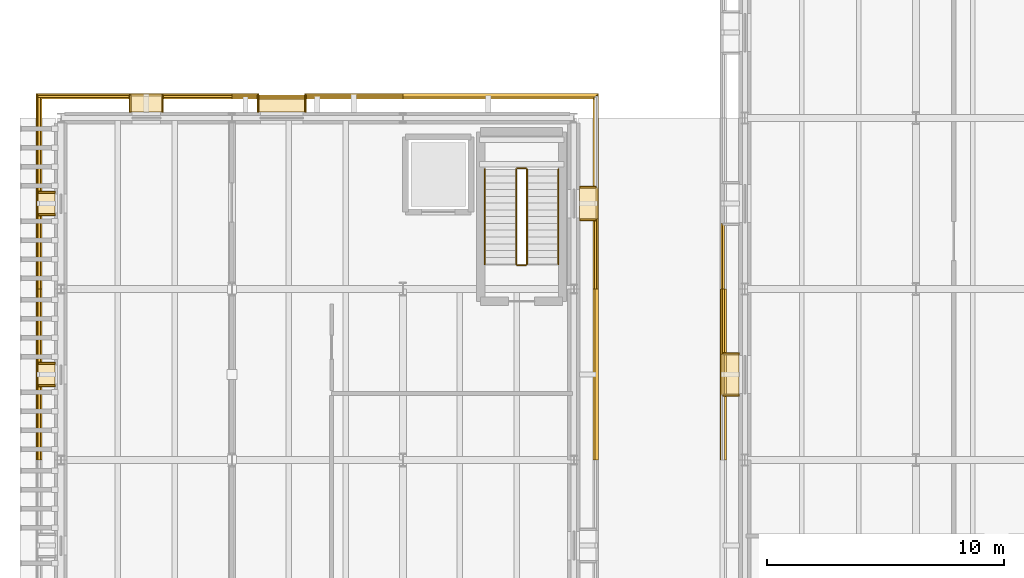
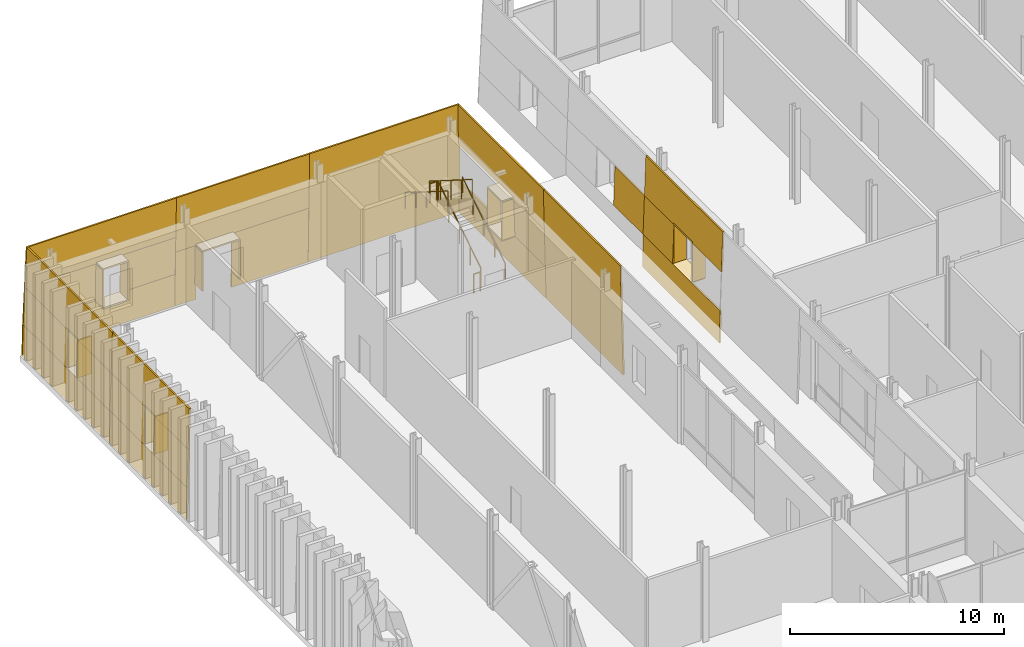
# One storey, part 109 of 120: 47 coverings, 6 railings.
"""IFC4 building model written with IfcOpenShell, lengths in metres."""

from ifc_helpers import new_model, si_unit, direction, frame, origin, origin_2d, place, context, subcontext, project, spatial, polyline, circle, outline, extrude, material, layer, layer_set, type_object, element, save


model = new_model("IFC4")

# Units and contexts
model_context = context("Model", 3, precision=1e-05, world=origin(), true_north=direction((0.0, 1.0)))
body_context = subcontext(model_context, "Body", "Model", "MODEL_VIEW")
ifc_project = project(units=[si_unit("LENGTHUNIT", "METRE"), si_unit("AREAUNIT", "SQUARE_METRE"), si_unit("VOLUMEUNIT", "CUBIC_METRE"), si_unit("PLANEANGLEUNIT", "RADIAN"), si_unit("MASSUNIT", "GRAM", prefix="KILO")], contexts=[model_context])

# Site, building, storey
site_placement = place(None, origin())
site = spatial("IfcSite", under=ifc_project, at=site_placement, CompositionType="ELEMENT")
building_placement = place(site_placement, origin())
building = spatial("IfcBuilding", under=site, at=building_placement, Name="Narikvali Park Central Library", CompositionType="ELEMENT")
storey_placement = place(building_placement, origin())
storey = spatial("IfcBuildingStorey", under=building, at=storey_placement, Name="L00", CompositionType="ELEMENT", Elevation=0.0)

# Coverings
ifc_material_1 = material(Name="White Honed Limestone Cladding", Category="masonry")
ifc_layer_1 = layer(ifc_material_1, 0.0849609375, Name="White Honed Limestone Cladding")
ifc_layer_set_1 = layer_set([ifc_layer_1], Name="White Honed Limestone Cladding")
covering_type_1 = type_object("IfcCoveringType", Name="Battered White Limestone Facade Cladding Panel", PredefinedType="CLADDING", material=ifc_layer_set_1)
covering_1_placement = place(storey_placement, frame((27.7919921875, 103.56005859375, 0.949951171875), z_axis=(-0.999431408105, 0.0, 0.033717361898), x_axis=(0.0, -1.0, 0.0)))
element("IfcCovering", 1, at=covering_1_placement, inside=storey, type_object=covering_type_1, Name="V4 L00 W Battered Limestone Jamb Pier R B02", PredefinedType="CLADDING", context=body_context, shape_type="SweptSolid", body=[
    extrude(outline(polyline([(0.0, 0.0), (2.760009765625, 0.0), (2.760009765625, 2.2012027579225295), (0.0, 2.2012027579225295), (0.0, 0.0)])), origin(), (0.0, 0.0, -1.0), 0.0849609375),
])
covering_2_placement = place(storey_placement, frame((27.760009765625, 100.800048828125, -0.8798828125), z_axis=(-0.999847289173, 0.0, 0.017475649751), x_axis=(0.0, -1.0, 0.0)))
element("IfcCovering", 2, at=covering_2_placement, inside=storey, type_object=covering_type_1, Name="V4 L00 W Battered Limestone Spandrel B03", PredefinedType="CLADDING", context=body_context, shape_type="SweptSolid", body=[
    extrude(outline(polyline([(0.0, 0.0), (7.199951171875, 0.0), (7.199951171875, 1.8301134625161029), (0.0, 1.8301134625161029), (0.0, 0.0)])), origin(), (0.0, 0.0, -1.0), 0.0849609375),
])
covering_3_placement = place(storey_placement, frame((27.8662109375, 100.800048828125, 3.14990234375), z_axis=(-0.999434750598, 0.0, 0.033618139397), x_axis=(0.0, -1.0, 0.0)))
element("IfcCovering", 3, at=covering_3_placement, inside=storey, type_object=covering_type_1, Name="V4 L00 W Battered Limestone Lintel B03", PredefinedType="CLADDING", context=body_context, shape_type="SweptSolid", body=[
    extrude(outline(polyline([(0.0, 0.0), (7.199951171875, 0.0), (7.199951171875, 2.251272530450926), (0.0, 2.251272530450926), (0.0, 0.0)])), origin(), (0.0, 0.0, -1.0), 0.0849609375),
])
covering_4_placement = place(storey_placement, frame((27.7919921875, 100.800048828125, 0.949951171875), z_axis=(-0.999431408105, 0.0, 0.033717361898), x_axis=(0.0, -1.0, 0.0)))
element("IfcCovering", 4, at=covering_4_placement, inside=storey, type_object=covering_type_1, Name="V4 L00 W Battered Limestone Jamb Pier L B03", PredefinedType="CLADDING", context=body_context, shape_type="SweptSolid", body=[
    extrude(outline(polyline([(0.0, 0.0), (2.760009765625, 0.0), (2.760009765625, 2.2012027579225295), (0.0, 2.2012027579225295), (0.0, 0.0)])), origin(), (0.0, 0.0, -1.0), 0.0849609375),
])
covering_5_placement = place(storey_placement, frame((22.639892578125, 93.60009765625, -0.8798828125), z_axis=(0.999703037144, 0.0, 0.024368781755), x_axis=(0.0, 1.0, 0.0)))
element("IfcCovering", 5, at=covering_5_placement, inside=storey, type_object=covering_type_1, Name="V5 L00 E Battered Limestone Panel B10", PredefinedType="CLADDING", context=body_context, shape_type="SweptSolid", body=[
    extrude(outline(polyline([(0.0, 0.0), (7.199951171875, 0.0), (7.199951171875, 6.281650573141882), (0.0, 6.281650573141882), (0.0, 0.0)])), origin(), (0.0, 0.0, -1.0), 0.0849609375),
])
covering_6_placement = place(storey_placement, frame((22.639892578125, 100.800048828125, -0.8798828125), z_axis=(0.999892318289, 0.0, 0.014674870582), x_axis=(0.0, 1.0, 0.0)))
element("IfcCovering", 6, at=covering_6_placement, inside=storey, type_object=covering_type_1, Name="V5 L00 E Battered Limestone Spandrel B11", PredefinedType="CLADDING", context=body_context, shape_type="SweptSolid", body=[
    extrude(outline(polyline([(0.0, 0.0), (8.155029296875, 0.0), (8.1279296875, 1.830031045249088), (0.0, 1.830031045249088), (0.0, 0.0)])), origin(), (0.0, 0.0, -1.0), 0.0849609375),
])
covering_7_placement = place(storey_placement, frame((22.552001953125, 100.800048828125, 3.10009765625), z_axis=(0.999598552146, 0.0, 0.028332570427), x_axis=(0.0, 1.0, 0.0)))
element("IfcCovering", 7, at=covering_7_placement, inside=storey, type_object=covering_type_1, Name="V5 L00 E Battered Limestone Lintel B11", PredefinedType="CLADDING", context=body_context, shape_type="SweptSolid", body=[
    extrude(outline(polyline([(0.0, 0.0), (8.067138671875, 0.0), (8.001708984375, 2.3007283099419555), (0.0, 2.3007283099419555), (0.0, 0.0)])), origin(), (0.0, 0.0, -1.0), 0.0849609375),
])
covering_8_placement = place(storey_placement, frame((22.613037109375, 100.800048828125, 0.949951171875), z_axis=(0.99959734633, 0.0, 0.028375080797), x_axis=(0.0, 1.0, 0.0)))
element("IfcCovering", 8, at=covering_8_placement, inside=storey, type_object=covering_type_1, Name="V5 L00 E Battered Limestone Jamb Pier L B11", PredefinedType="CLADDING", context=body_context, shape_type="SweptSolid", body=[
    extrude(outline(polyline([(0.0, 0.0), (2.9599609375, 0.0), (2.9599609375, 2.1510125974918495), (0.0, 2.1510125974918495), (0.0, 0.0)])), origin(), (0.0, 0.0, -1.0), 0.0849609375),
])
covering_9_placement = place(storey_placement, frame((22.639892578125, 109.0400390625, -0.8798828125), z_axis=(0.0, 0.999702089563, 0.0244076243), x_axis=(-1.0, 0.0, 0.0)))
element("IfcCovering", 9, at=covering_9_placement, inside=storey, type_object=covering_type_1, Name="V5 L00 N Battered Limestone Panel B01", PredefinedType="CLADDING", context=body_context, shape_type="SweptSolid", body=[
    extrude(outline(polyline([(0.0, 0.0), (8.239990234375, 0.0), (8.239990234375, 6.2816565272930145), (0.153076171875, 6.2816565272930145), (0.0, 0.0)])), origin(), (0.0, 0.0, -1.0), 0.0849609375),
])
covering_10_placement = place(storey_placement, frame((14.39990234375, 109.0400390625, -0.8798828125), z_axis=(0.0, 0.999793086822, 0.020341670129), x_axis=(-1.0, 0.0, 0.0)))
element("IfcCovering", 10, at=covering_10_placement, inside=storey, type_object=covering_type_1, Name="V5 L00 N Battered Portal Pier L B02", PredefinedType="CLADDING", context=body_context, shape_type="SweptSolid", body=[
    extrude(outline(polyline([(0.0, 0.0), (4.139892578125, 0.0), (4.139892578125, 3.1205187233221197), (0.0, 3.1205187233221197), (0.0, 0.0)])), origin(), (0.0, 0.0, -1.0), 0.0849609375),
])
covering_11_placement = place(storey_placement, frame((8.340087890625, 109.0400390625, -0.8798828125), z_axis=(0.0, 0.999793086822, 0.020341670129), x_axis=(-1.0, 0.0, 0.0)))
element("IfcCovering", 11, at=covering_11_placement, inside=storey, type_object=covering_type_1, Name="V5 L00 N Battered Portal Pier R B02", PredefinedType="CLADDING", context=body_context, shape_type="SweptSolid", body=[
    extrude(outline(polyline([(0.0, 0.0), (1.14013671875, 0.0), (1.14013671875, 3.1205187233221197), (0.0, 3.1205187233221197), (0.0, 0.0)])), origin(), (0.0, 0.0, -1.0), 0.0849609375),
])
covering_12_placement = place(storey_placement, frame((14.39990234375, 108.9765625, 2.239990234375), z_axis=(0.0, 0.999596045431, 0.028420871878), x_axis=(-1.0, 0.0, 0.0)))
element("IfcCovering", 12, at=covering_12_placement, inside=storey, type_object=covering_type_1, Name="V5 L00 N Battered Portal Header B02", PredefinedType="CLADDING", context=body_context, shape_type="SweptSolid", body=[
    extrude(outline(polyline([(0.0, 0.0), (7.199951171875, 0.0), (7.199951171875, 3.161189086149202), (0.0, 3.161189086149202), (0.0, 0.0)])), origin(), (0.0, 0.0, -1.0), 0.0849609375),
])
covering_13_placement = place(storey_placement, frame((7.199951171875, 109.0400390625, -0.8798828125), z_axis=(0.0, 0.999890351864, 0.014808249374), x_axis=(-1.0, 0.0, 0.0)))
element("IfcCovering", 13, at=covering_13_placement, inside=storey, type_object=covering_type_1, Name="V5 L00 N Battered Limestone Spandrel B03", PredefinedType="CLADDING", context=body_context, shape_type="SweptSolid", body=[
    extrude(outline(polyline([(0.0, 0.0), (8.239990234375, 0.0), (8.212890625, 1.8300346442627706), (0.0, 1.8300346442627706), (0.0, 0.0)])), origin(), (0.0, 0.0, -1.0), 0.0849609375),
])
covering_14_placement = place(storey_placement, frame((7.199951171875, 108.9521484375, 3.10009765625), z_axis=(0.0, 0.999595541243, 0.028438599263), x_axis=(-1.0, 0.0, 0.0)))
element("IfcCovering", 14, at=covering_14_placement, inside=storey, type_object=covering_type_1, Name="V5 L00 N Battered Limestone Lintel B03", PredefinedType="CLADDING", context=body_context, shape_type="SweptSolid", body=[
    extrude(outline(polyline([(0.0, 0.0), (8.152099609375, 0.0), (8.086669921875, 2.3007352400164), (0.0, 2.3007352400164), (0.0, 0.0)])), origin(), (0.0, 0.0, -1.0), 0.0849609375),
])
covering_15_placement = place(storey_placement, frame((7.199951171875, 109.012939453125, 0.949951171875), z_axis=(0.0, 0.999600559191, 0.028261671311), x_axis=(-1.0, 0.0, 0.0)))
element("IfcCovering", 15, at=covering_15_placement, inside=storey, type_object=covering_type_1, Name="V5 L00 N Battered Limestone Jamb Pier L B03", PredefinedType="CLADDING", context=body_context, shape_type="SweptSolid", body=[
    extrude(outline(polyline([(0.0, 0.0), (2.9599609375, 0.0), (2.9599609375, 2.1510056838257987), (0.0, 2.1510056838257987), (0.0, 0.0)])), origin(), (0.0, 0.0, -1.0), 0.0849609375),
])
covering_16_placement = place(storey_placement, frame((2.9599609375, 109.012939453125, 0.949951171875), z_axis=(0.0, 0.999600559191, 0.028261671311), x_axis=(-1.0, 0.0, 0.0)))
element("IfcCovering", 16, at=covering_16_placement, inside=storey, type_object=covering_type_1, Name="V5 L00 N Battered Limestone Jamb Pier R B03", PredefinedType="CLADDING", context=body_context, shape_type="SweptSolid", body=[
    extrude(outline(polyline([(0.0, 0.0), (3.972900390625, 0.0), (3.912109375, 2.1510056838257983), (0.0, 2.1510056838257983), (0.0, 0.0)])), origin(), (0.0, 0.0, -1.0), 0.0849609375),
])
covering_17_placement = place(storey_placement, frame((-1.0400390625, 108.955078125, -0.8798828125), z_axis=(-0.999890351864, 0.0, 0.014808249374), x_axis=(0.0, -1.0, 0.0)))
element("IfcCovering", 17, at=covering_17_placement, inside=storey, type_object=covering_type_1, Name="V5 L00 W Battered Limestone Spandrel B01", PredefinedType="CLADDING", context=body_context, shape_type="SweptSolid", body=[
    extrude(outline(polyline([(0.0, 0.0), (8.155029296875, 0.0), (8.155029296875, 1.8300346442627706), (0.027099609375, 1.8300346442627706), (0.0, 0.0)])), origin(), (0.0, 0.0, -1.0), 0.0849609375),
])
covering_18_placement = place(storey_placement, frame((-0.9521484375, 108.8671875, 3.10009765625), z_axis=(-0.999595541243, 0.0, 0.028438599263), x_axis=(0.0, -1.0, 0.0)))
element("IfcCovering", 18, at=covering_18_placement, inside=storey, type_object=covering_type_1, Name="V5 L00 W Battered Limestone Lintel B01", PredefinedType="CLADDING", context=body_context, shape_type="SweptSolid", body=[
    extrude(outline(polyline([(0.0, 0.0), (8.067138671875, 0.0), (8.067138671875, 2.3007352400163996), (0.0654296875, 2.3007352400163996), (0.0, 0.0)])), origin(), (0.0, 0.0, -1.0), 0.0849609375),
])
covering_19_placement = place(storey_placement, frame((-1.012939453125, 108.927978515625, 0.949951171875), z_axis=(-0.999600559191, 0.0, 0.028261671311), x_axis=(0.0, -1.0, 0.0)))
element("IfcCovering", 19, at=covering_19_placement, inside=storey, type_object=covering_type_1, Name="V5 L00 W Battered Limestone Jamb Pier L B01", PredefinedType="CLADDING", context=body_context, shape_type="SweptSolid", body=[
    extrude(outline(polyline([(0.0, 0.0), (4.087890625, 0.0), (4.087890625, 2.1510056838257987), (0.060791015625, 2.1510056838257987), (0.0, 0.0)])), origin(), (0.0, 0.0, -1.0), 0.0849609375),
])
covering_20_placement = place(storey_placement, frame((-1.012939453125, 103.9599609375, 0.949951171875), z_axis=(-0.999600559191, 0.0, 0.028261671311), x_axis=(0.0, -1.0, 0.0)))
element("IfcCovering", 20, at=covering_20_placement, inside=storey, type_object=covering_type_1, Name="V5 L00 W Battered Limestone Jamb Pier R B01", PredefinedType="CLADDING", context=body_context, shape_type="SweptSolid", body=[
    extrude(outline(polyline([(0.0, 0.0), (3.159912109375, 0.0), (3.159912109375, 2.1510056838257987), (0.0, 2.1510056838257987), (0.0, 0.0)])), origin(), (0.0, 0.0, -1.0), 0.0849609375),
])
covering_21_placement = place(storey_placement, frame((-1.0400390625, 100.800048828125, -0.8798828125), z_axis=(-0.999890351864, 0.0, 0.014808249374), x_axis=(0.0, -1.0, 0.0)))
element("IfcCovering", 21, at=covering_21_placement, inside=storey, type_object=covering_type_1, Name="V5 L00 W Battered Limestone Spandrel B02", PredefinedType="CLADDING", context=body_context, shape_type="SweptSolid", body=[
    extrude(outline(polyline([(0.0, 0.0), (7.199951171875, 0.0), (7.199951171875, 1.8300346442627704), (0.0, 1.8300346442627704), (0.0, 0.0)])), origin(), (0.0, 0.0, -1.0), 0.0849609375),
])
covering_22_placement = place(storey_placement, frame((-0.9521484375, 100.800048828125, 3.10009765625), z_axis=(-0.999595541243, 0.0, 0.028438599263), x_axis=(0.0, -1.0, 0.0)))
element("IfcCovering", 22, at=covering_22_placement, inside=storey, type_object=covering_type_1, Name="V5 L00 W Battered Limestone Lintel B02", PredefinedType="CLADDING", context=body_context, shape_type="SweptSolid", body=[
    extrude(outline(polyline([(0.0, 0.0), (7.199951171875, 0.0), (7.199951171875, 2.3007352400164), (0.0, 2.3007352400164), (0.0, 0.0)])), origin(), (0.0, 0.0, -1.0), 0.0849609375),
])
covering_23_placement = place(storey_placement, frame((-1.012939453125, 100.800048828125, 0.949951171875), z_axis=(-0.999600559191, 0.0, 0.028261671311), x_axis=(0.0, -1.0, 0.0)))
element("IfcCovering", 23, at=covering_23_placement, inside=storey, type_object=covering_type_1, Name="V5 L00 W Battered Limestone Jamb Pier L B02", PredefinedType="CLADDING", context=body_context, shape_type="SweptSolid", body=[
    extrude(outline(polyline([(0.0, 0.0), (3.16015625, 0.0), (3.16015625, 2.1510056838257987), (0.0, 2.1510056838257987), (0.0, 0.0)])), origin(), (0.0, 0.0, -1.0), 0.0849609375),
])
covering_24_placement = place(storey_placement, frame((-1.012939453125, 96.760009765625, 0.949951171875), z_axis=(-0.999600559191, 0.0, 0.028261671311), x_axis=(0.0, -1.0, 0.0)))
element("IfcCovering", 24, at=covering_24_placement, inside=storey, type_object=covering_type_1, Name="V5 L00 W Battered Limestone Jamb Pier R B02", PredefinedType="CLADDING", context=body_context, shape_type="SweptSolid", body=[
    extrude(outline(polyline([(0.0, 0.0), (3.159912109375, 0.0), (3.159912109375, 2.1510056838257987), (0.0, 2.1510056838257987), (0.0, 0.0)])), origin(), (0.0, 0.0, -1.0), 0.0849609375),
])
ifc_layer_2 = layer(ifc_material_1, 0.080078125, Name="White Honed Limestone Cladding")
ifc_layer_set_2 = layer_set([ifc_layer_2], Name="White Honed Limestone Cladding")
covering_type_2 = type_object("IfcCoveringType", Name="Deep Carved White Limestone Window Reveal", PredefinedType="CLADDING", material=ifc_layer_set_2)
covering_25_placement = place(storey_placement, frame((0.0, 0.0, 3.14990234375)))
element("IfcCovering", 25, at=covering_25_placement, inside=storey, type_object=covering_type_2, Name="Deep Stone Reveal Head V4-RVL-L00-W-B03", PredefinedType="CLADDING", context=body_context, shape_type="SweptSolid", body=[
    extrude(outline(polyline([(28.554931640625, 98.080078125), (28.554931640625, 96.320068359375), (27.8662109375, 96.320068359375), (27.8662109375, 98.080078125), (28.554931640625, 98.080078125)])), origin(), (0.0, 0.0, 1.0), 0.080078125),
])
covering_26_placement = place(storey_placement, frame((0.0, 0.0, 0.8701171875)))
element("IfcCovering", 26, at=covering_26_placement, inside=storey, type_object=covering_type_2, Name="Deep Stone Reveal Sill V4-RVL-L00-W-B03", PredefinedType="CLADDING", context=body_context, shape_type="SweptSolid", body=[
    extrude(outline(polyline([(28.554931640625, 98.080078125), (28.554931640625, 96.320068359375), (27.7919921875, 96.320068359375), (27.7919921875, 98.080078125), (28.554931640625, 98.080078125)])), origin(), (0.0, 0.0, 1.0), 0.079833984375),
])
covering_27_placement = place(storey_placement, frame((0.0, 0.0, 0.949951171875)))
element("IfcCovering", 27, at=covering_27_placement, inside=storey, type_object=covering_type_2, Name="Deep Stone Reveal Jamb L V4-RVL-L00-W-B03", PredefinedType="CLADDING", context=body_context, shape_type="SweptSolid", body=[
    extrude(outline(polyline([(28.554931640625, 98.1201171875), (28.554931640625, 98.0400390625), (27.8662109375, 98.0400390625), (27.8662109375, 98.1201171875), (28.554931640625, 98.1201171875)])), origin(), (0.0, 0.0, 1.0), 2.199951171875),
])
covering_28_placement = place(storey_placement, frame((0.0, 0.0, 0.949951171875)))
element("IfcCovering", 28, at=covering_28_placement, inside=storey, type_object=covering_type_2, Name="Deep Stone Reveal Jamb R V4-RVL-L00-W-B03", PredefinedType="CLADDING", context=body_context, shape_type="SweptSolid", body=[
    extrude(outline(polyline([(28.554931640625, 96.360107421875), (28.554931640625, 96.280029296875), (27.8662109375, 96.280029296875), (27.8662109375, 96.360107421875), (28.554931640625, 96.360107421875)])), origin(), (0.0, 0.0, 1.0), 2.199951171875),
])
covering_29_placement = place(storey_placement, frame((0.0, 0.0, 3.10009765625)))
element("IfcCovering", 29, at=covering_29_placement, inside=storey, type_object=covering_type_2, Name="Deep Stone Reveal Head V5-RVL-L00-E-B11", PredefinedType="CLADDING", context=body_context, shape_type="SweptSolid", body=[
    extrude(outline(polyline([(21.844970703125, 103.719970703125), (21.844970703125, 105.080078125), (22.552001953125, 105.080078125), (22.552001953125, 103.719970703125), (21.844970703125, 103.719970703125)])), origin(), (0.0, 0.0, 1.0), 0.079833984375),
])
covering_30_placement = place(storey_placement, frame((0.0, 0.0, 0.8701171875)))
element("IfcCovering", 30, at=covering_30_placement, inside=storey, type_object=covering_type_2, Name="Deep Stone Reveal Sill V5-RVL-L00-E-B11", PredefinedType="CLADDING", context=body_context, shape_type="SweptSolid", body=[
    extrude(outline(polyline([(21.844970703125, 103.719970703125), (21.844970703125, 105.080078125), (22.613037109375, 105.080078125), (22.613037109375, 103.719970703125), (21.844970703125, 103.719970703125)])), origin(), (0.0, 0.0, 1.0), 0.079833984375),
])
covering_31_placement = place(storey_placement, frame((0.0, 0.0, 0.949951171875)))
element("IfcCovering", 31, at=covering_31_placement, inside=storey, type_object=covering_type_2, Name="Deep Stone Reveal Jamb L V5-RVL-L00-E-B11", PredefinedType="CLADDING", context=body_context, shape_type="SweptSolid", body=[
    extrude(outline(polyline([(21.844970703125, 103.679931640625), (21.844970703125, 103.760009765625), (22.552001953125, 103.760009765625), (22.552001953125, 103.679931640625), (21.844970703125, 103.679931640625)])), origin(), (0.0, 0.0, 1.0), 2.150146484375),
])
covering_32_placement = place(storey_placement, frame((0.0, 0.0, 0.949951171875)))
element("IfcCovering", 32, at=covering_32_placement, inside=storey, type_object=covering_type_2, Name="Deep Stone Reveal Jamb R V5-RVL-L00-E-B11", PredefinedType="CLADDING", context=body_context, shape_type="SweptSolid", body=[
    extrude(outline(polyline([(21.844970703125, 105.0400390625), (21.844970703125, 105.1201171875), (22.552001953125, 105.1201171875), (22.552001953125, 105.0400390625), (21.844970703125, 105.0400390625)])), origin(), (0.0, 0.0, 1.0), 2.150146484375),
])
covering_33_placement = place(storey_placement, frame((0.0, 0.0, 2.239990234375)))
element("IfcCovering", 33, at=covering_33_placement, inside=storey, type_object=covering_type_2, Name="Deep Stone Reveal Head V5-RVL-L00-N-B02", PredefinedType="CLADDING", context=body_context, shape_type="SweptSolid", body=[
    extrude(outline(polyline([(10.300048828125, 108.2451171875), (8.300048828125, 108.2451171875), (8.300048828125, 108.9765625), (10.300048828125, 108.9765625), (10.300048828125, 108.2451171875)])), origin(), (0.0, 0.0, 1.0), 0.080078125),
])
covering_34_placement = place(storey_placement, frame((0.0, 0.0, 0.02001953125)))
element("IfcCovering", 34, at=covering_34_placement, inside=storey, type_object=covering_type_2, Name="Deep Stone Reveal Jamb L V5-RVL-L00-N-B02", PredefinedType="CLADDING", context=body_context, shape_type="SweptSolid", body=[
    extrude(outline(polyline([(10.340087890625, 108.2451171875), (10.260009765625, 108.2451171875), (10.260009765625, 108.9765625), (10.340087890625, 108.9765625), (10.340087890625, 108.2451171875)])), origin(), (0.0, 0.0, 1.0), 2.219970703125),
])
covering_35_placement = place(storey_placement, frame((0.0, 0.0, 0.02001953125)))
element("IfcCovering", 35, at=covering_35_placement, inside=storey, type_object=covering_type_2, Name="Deep Stone Reveal Jamb R V5-RVL-L00-N-B02", PredefinedType="CLADDING", context=body_context, shape_type="SweptSolid", body=[
    extrude(outline(polyline([(8.340087890625, 108.2451171875), (8.260009765625, 108.2451171875), (8.260009765625, 108.9765625), (8.340087890625, 108.9765625), (8.340087890625, 108.2451171875)])), origin(), (0.0, 0.0, 1.0), 2.219970703125),
])
covering_36_placement = place(storey_placement, frame((0.0, 0.0, 3.10009765625)))
element("IfcCovering", 36, at=covering_36_placement, inside=storey, type_object=covering_type_2, Name="Deep Stone Reveal Head V5-RVL-L00-N-B03", PredefinedType="CLADDING", context=body_context, shape_type="SweptSolid", body=[
    extrude(outline(polyline([(4.280029296875, 108.2451171875), (2.919921875, 108.2451171875), (2.919921875, 108.9521484375), (4.280029296875, 108.9521484375), (4.280029296875, 108.2451171875)])), origin(), (0.0, 0.0, 1.0), 0.079833984375),
])
covering_37_placement = place(storey_placement, frame((0.0, 0.0, 0.8701171875)))
element("IfcCovering", 37, at=covering_37_placement, inside=storey, type_object=covering_type_2, Name="Deep Stone Reveal Sill V5-RVL-L00-N-B03", PredefinedType="CLADDING", context=body_context, shape_type="SweptSolid", body=[
    extrude(outline(polyline([(4.280029296875, 108.2451171875), (2.919921875, 108.2451171875), (2.919921875, 109.012939453125), (4.280029296875, 109.012939453125), (4.280029296875, 108.2451171875)])), origin(), (0.0, 0.0, 1.0), 0.079833984375),
])
covering_38_placement = place(storey_placement, frame((0.0, 0.0, 0.949951171875)))
element("IfcCovering", 38, at=covering_38_placement, inside=storey, type_object=covering_type_2, Name="Deep Stone Reveal Jamb L V5-RVL-L00-N-B03", PredefinedType="CLADDING", context=body_context, shape_type="SweptSolid", body=[
    extrude(outline(polyline([(4.320068359375, 108.2451171875), (4.239990234375, 108.2451171875), (4.239990234375, 108.9521484375), (4.320068359375, 108.9521484375), (4.320068359375, 108.2451171875)])), origin(), (0.0, 0.0, 1.0), 2.150146484375),
])
covering_39_placement = place(storey_placement, frame((0.0, 0.0, 0.949951171875)))
element("IfcCovering", 39, at=covering_39_placement, inside=storey, type_object=covering_type_2, Name="Deep Stone Reveal Jamb R V5-RVL-L00-N-B03", PredefinedType="CLADDING", context=body_context, shape_type="SweptSolid", body=[
    extrude(outline(polyline([(2.9599609375, 108.2451171875), (2.8798828125, 108.2451171875), (2.8798828125, 108.9521484375), (2.9599609375, 108.9521484375), (2.9599609375, 108.2451171875)])), origin(), (0.0, 0.0, 1.0), 2.150146484375),
])
covering_40_placement = place(storey_placement, frame((0.0, 0.0, 3.10009765625)))
element("IfcCovering", 40, at=covering_40_placement, inside=storey, type_object=covering_type_2, Name="Deep Stone Reveal Head V5-RVL-L00-W-B01", PredefinedType="CLADDING", context=body_context, shape_type="SweptSolid", body=[
    extrude(outline(polyline([(-0.2451171875, 104.8798828125), (-0.2451171875, 103.919921875), (-0.9521484375, 103.919921875), (-0.9521484375, 104.8798828125), (-0.2451171875, 104.8798828125)])), origin(), (0.0, 0.0, 1.0), 0.079833984375),
])
covering_41_placement = place(storey_placement, frame((0.0, 0.0, 0.8701171875)))
element("IfcCovering", 41, at=covering_41_placement, inside=storey, type_object=covering_type_2, Name="Deep Stone Reveal Sill V5-RVL-L00-W-B01", PredefinedType="CLADDING", context=body_context, shape_type="SweptSolid", body=[
    extrude(outline(polyline([(-0.2451171875, 104.8798828125), (-0.2451171875, 103.919921875), (-1.012939453125, 103.919921875), (-1.012939453125, 104.8798828125), (-0.2451171875, 104.8798828125)])), origin(), (0.0, 0.0, 1.0), 0.079833984375),
])
covering_42_placement = place(storey_placement, frame((0.0, 0.0, 0.949951171875)))
element("IfcCovering", 42, at=covering_42_placement, inside=storey, type_object=covering_type_2, Name="Deep Stone Reveal Jamb L V5-RVL-L00-W-B01", PredefinedType="CLADDING", context=body_context, shape_type="SweptSolid", body=[
    extrude(outline(polyline([(-0.2451171875, 104.919921875), (-0.2451171875, 104.840087890625), (-0.9521484375, 104.840087890625), (-0.9521484375, 104.919921875), (-0.2451171875, 104.919921875)])), origin(), (0.0, 0.0, 1.0), 2.150146484375),
])
covering_43_placement = place(storey_placement, frame((0.0, 0.0, 0.949951171875)))
element("IfcCovering", 43, at=covering_43_placement, inside=storey, type_object=covering_type_2, Name="Deep Stone Reveal Jamb R V5-RVL-L00-W-B01", PredefinedType="CLADDING", context=body_context, shape_type="SweptSolid", body=[
    extrude(outline(polyline([(-0.2451171875, 103.9599609375), (-0.2451171875, 103.8798828125), (-0.9521484375, 103.8798828125), (-0.9521484375, 103.9599609375), (-0.2451171875, 103.9599609375)])), origin(), (0.0, 0.0, 1.0), 2.150146484375),
])
covering_44_placement = place(storey_placement, frame((0.0, 0.0, 3.10009765625)))
element("IfcCovering", 44, at=covering_44_placement, inside=storey, type_object=covering_type_2, Name="Deep Stone Reveal Head V5-RVL-L00-W-B02", PredefinedType="CLADDING", context=body_context, shape_type="SweptSolid", body=[
    extrude(outline(polyline([(-0.2451171875, 97.679931640625), (-0.2451171875, 96.719970703125), (-0.9521484375, 96.719970703125), (-0.9521484375, 97.679931640625), (-0.2451171875, 97.679931640625)])), origin(), (0.0, 0.0, 1.0), 0.079833984375),
])
covering_45_placement = place(storey_placement, frame((0.0, 0.0, 0.8701171875)))
element("IfcCovering", 45, at=covering_45_placement, inside=storey, type_object=covering_type_2, Name="Deep Stone Reveal Sill V5-RVL-L00-W-B02", PredefinedType="CLADDING", context=body_context, shape_type="SweptSolid", body=[
    extrude(outline(polyline([(-0.2451171875, 97.679931640625), (-0.2451171875, 96.719970703125), (-1.012939453125, 96.719970703125), (-1.012939453125, 97.679931640625), (-0.2451171875, 97.679931640625)])), origin(), (0.0, 0.0, 1.0), 0.079833984375),
])
covering_46_placement = place(storey_placement, frame((0.0, 0.0, 0.949951171875)))
element("IfcCovering", 46, at=covering_46_placement, inside=storey, type_object=covering_type_2, Name="Deep Stone Reveal Jamb L V5-RVL-L00-W-B02", PredefinedType="CLADDING", context=body_context, shape_type="SweptSolid", body=[
    extrude(outline(polyline([(-0.2451171875, 97.719970703125), (-0.2451171875, 97.639892578125), (-0.9521484375, 97.639892578125), (-0.9521484375, 97.719970703125), (-0.2451171875, 97.719970703125)])), origin(), (0.0, 0.0, 1.0), 2.150146484375),
])
covering_47_placement = place(storey_placement, frame((0.0, 0.0, 0.949951171875)))
element("IfcCovering", 47, at=covering_47_placement, inside=storey, type_object=covering_type_2, Name="Deep Stone Reveal Jamb R V5-RVL-L00-W-B02", PredefinedType="CLADDING", context=body_context, shape_type="SweptSolid", body=[
    extrude(outline(polyline([(-0.2451171875, 96.760009765625), (-0.2451171875, 96.679931640625), (-0.9521484375, 96.679931640625), (-0.9521484375, 96.760009765625), (-0.2451171875, 96.760009765625)])), origin(), (0.0, 0.0, 1.0), 2.150146484375),
])

# Railings
ifc_material_2 = material(Name="Brushed Stainless Steel S355", Category="steel")
ifc_layer_3 = layer(ifc_material_2, 0.044921875, Name="Brushed Stainless Steel S355")
ifc_layer_set_3 = layer_set([ifc_layer_3], Name="Brushed Stainless Steel S355")
railing_type_1 = type_object("IfcRailingType", Name="Stair Tubular Steel Handrail 900", PredefinedType="HANDRAIL", material=ifc_layer_set_3)
railing_1_placement = place(storey_placement, frame((20.949951171875, 101.85009765625, 0.179931640625)))
element("IfcRailing", 48, at=railing_1_placement, inside=storey, type_object=railing_type_1, Name="L00 ST-10 stair handrail 1", PredefinedType="HANDRAIL", context=body_context, shape_type="SweptSolid", body=[
    extrude(circle(Radius=0.02392578125, at=origin_2d()), frame((0.0, 0.0, 0.8759765625), z_axis=(0.0, 0.845486444383, 0.533996884227), x_axis=(-1.0, 0.0, 0.0)), (0.0, 0.0, 1.0), 4.71923828125),
    extrude(circle(Radius=0.02099609375, at=origin_2d()), origin(), (0.0, 0.0, 1.0), 0.851806640625),
    extrude(circle(Radius=0.02099609375, at=origin_2d()), frame((0.0, 0.99755859375, 0.6298828125)), (0.0, 0.0, 1.0), 0.851806640625),
    extrude(circle(Radius=0.02099609375, at=origin_2d()), frame((0.0, 1.9951171875, 1.260009765625)), (0.0, 0.0, 1.0), 0.851806640625),
    extrude(circle(Radius=0.02099609375, at=origin_2d()), frame((0.0, 2.992431640625, 1.89013671875)), (0.0, 0.0, 1.0), 0.851806640625),
    extrude(circle(Radius=0.02099609375, at=origin_2d()), frame((0.0, 3.989990234375, 2.52001953125)), (0.0, 0.0, 1.0), 0.851806640625),
])
railing_2_placement = place(storey_placement, frame((17.85009765625, 105.840087890625, 2.8798828125)))
element("IfcRailing", 49, at=railing_2_placement, inside=storey, type_object=railing_type_1, Name="L00 ST-10 stair handrail 2", PredefinedType="HANDRAIL", context=body_context, shape_type="SweptSolid", body=[
    extrude(circle(Radius=0.02392578125, at=origin_2d()), frame((0.0, 0.0, 0.8759765625), z_axis=(0.0, -0.845486444383, 0.533996884227), x_axis=(1.0, 0.0, 0.0)), (0.0, 0.0, 1.0), 4.71923828125),
    extrude(circle(Radius=0.02099609375, at=origin_2d()), origin(), (0.0, 0.0, 1.0), 0.851806640625),
    extrude(circle(Radius=0.02099609375, at=origin_2d()), frame((0.0, -0.99755859375, 0.6298828125)), (0.0, 0.0, 1.0), 0.851806640625),
    extrude(circle(Radius=0.02099609375, at=origin_2d()), frame((0.0, -1.9951171875, 1.260009765625)), (0.0, 0.0, 1.0), 0.851806640625),
    extrude(circle(Radius=0.02099609375, at=origin_2d()), frame((0.0, -2.992431640625, 1.89013671875)), (0.0, 0.0, 1.0), 0.851806640625),
    extrude(circle(Radius=0.02099609375, at=origin_2d()), frame((0.0, -3.989990234375, 2.52001953125)), (0.0, 0.0, 1.0), 0.851806640625),
])
ifc_material_3 = material(Name="Powder-Coated Steel S275", Category="steel")
ifc_layer_4 = layer(ifc_material_3, 0.050048828125, Name="Powder-Coated Steel S275")
ifc_layer_set_4 = layer_set([ifc_layer_4], Name="Powder-Coated Steel S275")
railing_type_2 = type_object("IfcRailingType", Name="Stair Well Steel Guardrail 1100", PredefinedType="GUARDRAIL", material=ifc_layer_set_4)
railing_3_placement = place(storey_placement, frame((19.6298828125, 101.85009765625, 0.179931640625)))
element("IfcRailing", 50, at=railing_3_placement, inside=storey, type_object=railing_type_2, Name="L00 ST-10 stair guard 1", PredefinedType="GUARDRAIL", context=body_context, shape_type="SweptSolid", body=[
    extrude(circle(Radius=0.02392578125, at=origin_2d()), frame((0.0, 0.0, 1.076171875), z_axis=(0.0, 0.845486444383, 0.533996884227), x_axis=(-1.0, 0.0, 0.0)), (0.0, 0.0, 1.0), 4.71923828125),
    extrude(circle(Radius=0.02099609375, at=origin_2d()), origin(), (0.0, 0.0, 1.0), 1.052001953125),
    extrude(circle(Radius=0.02099609375, at=origin_2d()), frame((0.0, 0.99755859375, 0.6298828125)), (0.0, 0.0, 1.0), 1.052001953125),
    extrude(circle(Radius=0.02099609375, at=origin_2d()), frame((0.0, 1.9951171875, 1.260009765625)), (0.0, 0.0, 1.0), 1.052001953125),
    extrude(circle(Radius=0.02099609375, at=origin_2d()), frame((0.0, 2.992431640625, 1.89013671875)), (0.0, 0.0, 1.0), 1.052001953125),
    extrude(circle(Radius=0.02099609375, at=origin_2d()), frame((0.0, 3.989990234375, 2.52001953125)), (0.0, 0.0, 1.0), 1.052001953125),
])
railing_4_placement = place(storey_placement, frame((19.580078125, 105.889892578125, 2.699951171875)))
element("IfcRailing", 51, at=railing_4_placement, inside=storey, type_object=railing_type_2, Name="L00 ST-10 stair guard 2", PredefinedType="GUARDRAIL", context=body_context, shape_type="SweptSolid", body=[
    extrude(circle(Radius=0.02392578125, at=origin_2d()), frame((0.0, 0.0, 1.076171875), z_axis=(-1.0, 0.0, 0.0), x_axis=(0.0, -1.0, 0.0)), (0.0, 0.0, 1.0), 0.360107421875),
    extrude(circle(Radius=0.02099609375, at=origin_2d()), origin(), (0.0, 0.0, 1.0), 1.052001953125),
    extrude(circle(Radius=0.02099609375, at=origin_2d()), frame((-0.360107421875, 0.0, 0.0)), (0.0, 0.0, 1.0), 1.052001953125),
])
railing_5_placement = place(storey_placement, frame((19.169921875, 105.840087890625, 2.8798828125)))
element("IfcRailing", 52, at=railing_5_placement, inside=storey, type_object=railing_type_2, Name="L00 ST-10 stair guard 3", PredefinedType="GUARDRAIL", context=body_context, shape_type="SweptSolid", body=[
    extrude(circle(Radius=0.02392578125, at=origin_2d()), frame((0.0, 0.0, 1.076171875), z_axis=(0.0, -0.845486444383, 0.533996884227), x_axis=(1.0, 0.0, 0.0)), (0.0, 0.0, 1.0), 4.71923828125),
    extrude(circle(Radius=0.02099609375, at=origin_2d()), origin(), (0.0, 0.0, 1.0), 1.052001953125),
    extrude(circle(Radius=0.02099609375, at=origin_2d()), frame((0.0, -0.99755859375, 0.6298828125)), (0.0, 0.0, 1.0), 1.052001953125),
    extrude(circle(Radius=0.02099609375, at=origin_2d()), frame((0.0, -1.9951171875, 1.260009765625)), (0.0, 0.0, 1.0), 1.052001953125),
    extrude(circle(Radius=0.02099609375, at=origin_2d()), frame((0.0, -2.992431640625, 1.89013671875)), (0.0, 0.0, 1.0), 1.052001953125),
    extrude(circle(Radius=0.02099609375, at=origin_2d()), frame((0.0, -3.989990234375, 2.52001953125)), (0.0, 0.0, 1.0), 1.052001953125),
])
railing_6_placement = place(storey_placement, frame((19.580078125, 101.800048828125, 0.0)))
element("IfcRailing", 53, at=railing_6_placement, inside=storey, type_object=railing_type_2, Name="L00 ST-10 stair guard 4", PredefinedType="GUARDRAIL", context=body_context, shape_type="SweptSolid", body=[
    extrude(circle(Radius=0.02392578125, at=origin_2d()), frame((0.0, 0.0, 1.076171875), z_axis=(-1.0, 0.0, 0.0), x_axis=(0.0, -1.0, 0.0)), (0.0, 0.0, 1.0), 0.360107421875),
    extrude(circle(Radius=0.02099609375, at=origin_2d()), origin(), (0.0, 0.0, 1.0), 1.052001953125),
    extrude(circle(Radius=0.02099609375, at=origin_2d()), frame((-0.360107421875, 0.0, 0.0)), (0.0, 0.0, 1.0), 1.052001953125),
])

save(model, "model.ifc")
